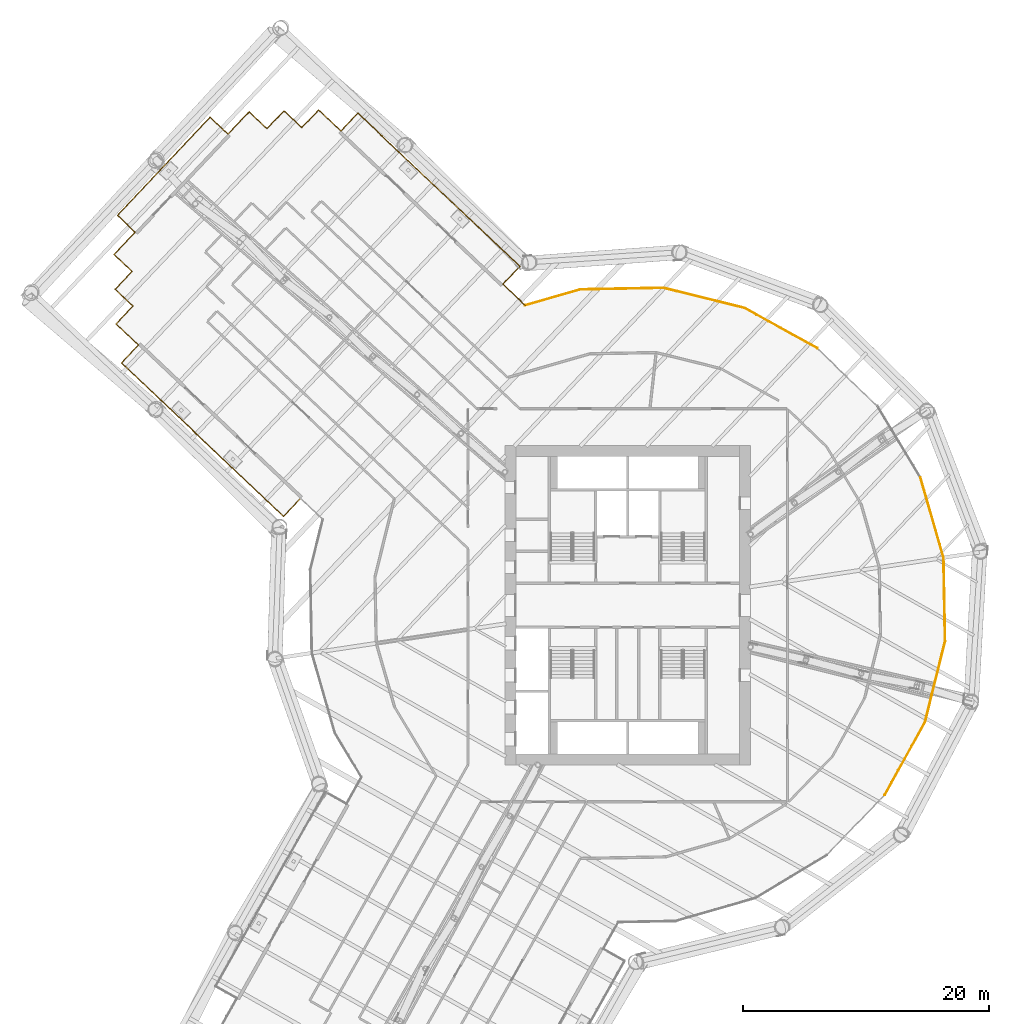
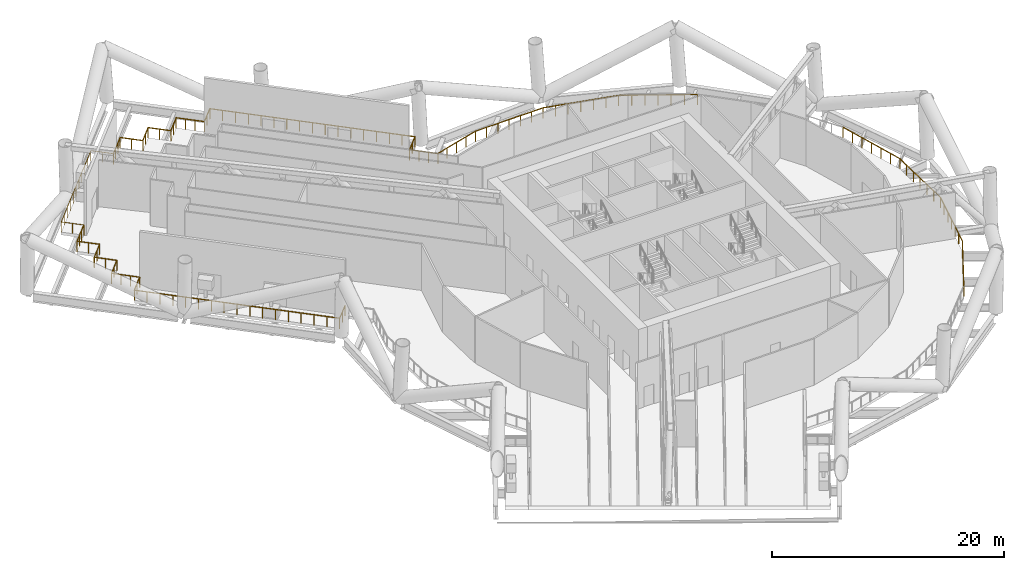
# One storey, part 37 of 39: 24 railings.
"""IFC4 building model written with IfcOpenShell, lengths in metres."""

from ifc_helpers import new_model, si_unit, direction, frame, origin, origin_2d, place, context, subcontext, project, spatial, circle, extrude, material, type_object, element, save


model = new_model("IFC4")

# Units and contexts
model_context = context("Model", 3, precision=1e-05, world=origin(), true_north=direction((0.0, 1.0)))
body_context = subcontext(model_context, "Body", "Model", "MODEL_VIEW")
ifc_project = project(units=[si_unit("LENGTHUNIT", "METRE"), si_unit("AREAUNIT", "SQUARE_METRE"), si_unit("VOLUMEUNIT", "CUBIC_METRE"), si_unit("PLANEANGLEUNIT", "RADIAN"), si_unit("MASSUNIT", "GRAM", prefix="KILO")], contexts=[model_context])

# Site, building, storey
site_placement = place(None, origin())
site = spatial("IfcSite", under=ifc_project, at=site_placement, CompositionType="ELEMENT")
building_placement = place(site_placement, origin())
building = spatial("IfcBuilding", under=site, at=building_placement, Name="Tarsis Ring Headquarters", CompositionType="ELEMENT")
storey_placement = place(building_placement, frame((0.0, 0.0, 86.800048828125)))
storey = spatial("IfcBuildingStorey", under=building, at=storey_placement, Name="L19", CompositionType="ELEMENT", Elevation=86.800048828125)

# Railings
ifc_material = material(Name="Stainless steel guard", Category="steel")
railing_type_1 = type_object("IfcRailingType", Name="Balcony balustrade with mesh infill 1100", PredefinedType="BALUSTRADE", material=ifc_material)
railing_1_placement = place(storey_placement, frame((-39.84375, 21.183349609375, 0.0)))
element("IfcRailing", 1, at=railing_1_placement, inside=storey, type_object=railing_type_1, Name="Balcony balustrade L19-01", PredefinedType="BALUSTRADE", context=body_context, shape_type="SweptSolid", body=[
    extrude(circle(Radius=0.030029296875, at=origin_2d()), frame((0.0, 0.0, 1.070068359375), z_axis=(-0.687304324489, -0.726369579167, 0.0), x_axis=(0.726369579167, -0.687304324489, 0.0)), (0.0, 0.0, 1.0), 1.999755859375),
    extrude(circle(Radius=0.030029296875, at=origin_2d()), frame((-1.37451171875, -1.45263671875, 1.070068359375), z_axis=(0.726332085354, -0.687343947224, 0.0), x_axis=(0.687343947224, 0.726332085354, 0.0)), (0.0, 0.0, 1.0), 18.172119140625),
    extrude(circle(Radius=0.030029296875, at=origin_2d()), frame((11.824462890625, -13.943115234375, 1.070068359375), z_axis=(0.687304324489, 0.726369579167, 0.0), x_axis=(-0.726369579167, 0.687304324489, 0.0)), (0.0, 0.0, 1.0), 1.999755859375),
    extrude(circle(Radius=0.02490234375, at=origin_2d()), origin(), (0.0, 0.0, 1.0), 1.0400390625),
    extrude(circle(Radius=0.02490234375, at=origin_2d()), frame((-0.687255859375, -0.726318359375, 0.0)), (0.0, 0.0, 1.0), 1.0400390625),
    extrude(circle(Radius=0.02490234375, at=origin_2d()), frame((-1.37451171875, -1.45263671875, 0.0)), (0.0, 0.0, 1.0), 1.0400390625),
    extrude(circle(Radius=0.02490234375, at=origin_2d()), frame((-0.549560546875, -2.2333984375, 0.0)), (0.0, 0.0, 1.0), 1.0400390625),
    extrude(circle(Radius=0.02490234375, at=origin_2d()), frame((0.275390625, -3.013916015625, 0.0)), (0.0, 0.0, 1.0), 1.0400390625),
    extrude(circle(Radius=0.02490234375, at=origin_2d()), frame((1.100341796875, -3.794677734375, 0.0)), (0.0, 0.0, 1.0), 1.0400390625),
    extrude(circle(Radius=0.02490234375, at=origin_2d()), frame((1.92529296875, -4.5751953125, 0.0)), (0.0, 0.0, 1.0), 1.0400390625),
    extrude(circle(Radius=0.02490234375, at=origin_2d()), frame((2.750244140625, -5.35595703125, 0.0)), (0.0, 0.0, 1.0), 1.0400390625),
    extrude(circle(Radius=0.02490234375, at=origin_2d()), frame((3.5751953125, -6.136474609375, 0.0)), (0.0, 0.0, 1.0), 1.0400390625),
    extrude(circle(Radius=0.02490234375, at=origin_2d()), frame((4.400146484375, -6.917236328125, 0.0)), (0.0, 0.0, 1.0), 1.0400390625),
    extrude(circle(Radius=0.02490234375, at=origin_2d()), frame((5.22509765625, -7.69775390625, 0.0)), (0.0, 0.0, 1.0), 1.0400390625),
    extrude(circle(Radius=0.02490234375, at=origin_2d()), frame((6.0498046875, -8.478515625, 0.0)), (0.0, 0.0, 1.0), 1.0400390625),
    extrude(circle(Radius=0.02490234375, at=origin_2d()), frame((6.874755859375, -9.25927734375, 0.0)), (0.0, 0.0, 1.0), 1.0400390625),
    extrude(circle(Radius=0.02490234375, at=origin_2d()), frame((7.69970703125, -10.039794921875, 0.0)), (0.0, 0.0, 1.0), 1.0400390625),
    extrude(circle(Radius=0.02490234375, at=origin_2d()), frame((8.524658203125, -10.820556640625, 0.0)), (0.0, 0.0, 1.0), 1.0400390625),
    extrude(circle(Radius=0.02490234375, at=origin_2d()), frame((9.349609375, -11.60107421875, 0.0)), (0.0, 0.0, 1.0), 1.0400390625),
    extrude(circle(Radius=0.02490234375, at=origin_2d()), frame((10.174560546875, -12.3818359375, 0.0)), (0.0, 0.0, 1.0), 1.0400390625),
    extrude(circle(Radius=0.02490234375, at=origin_2d()), frame((10.99951171875, -13.162353515625, 0.0)), (0.0, 0.0, 1.0), 1.0400390625),
    extrude(circle(Radius=0.02490234375, at=origin_2d()), frame((11.824462890625, -13.943115234375, 0.0)), (0.0, 0.0, 1.0), 1.0400390625),
    extrude(circle(Radius=0.02490234375, at=origin_2d()), frame((12.51171875, -13.216796875, 0.0)), (0.0, 0.0, 1.0), 1.0400390625),
    extrude(circle(Radius=0.02490234375, at=origin_2d()), frame((13.198974609375, -12.490478515625, 0.0)), (0.0, 0.0, 1.0), 1.0400390625),
])
railing_2_placement = place(storey_placement, frame((-10.16357421875, 26.13916015625, 0.0)))
element("IfcRailing", 2, at=railing_2_placement, inside=storey, type_object=railing_type_1, Name="Balcony balustrade L19-31", PredefinedType="BALUSTRADE", context=body_context, shape_type="SweptSolid", body=[
    extrude(circle(Radius=0.030029296875, at=origin_2d()), frame((0.0, 0.0, 1.070068359375), z_axis=(0.68736872678, 0.726308635117, 0.0), x_axis=(-0.726308635117, 0.68736872678, 0.0)), (0.0, 0.0, 1.0), 2.0),
    extrude(circle(Radius=0.030029296875, at=origin_2d()), frame((1.374755859375, 1.45263671875, 1.070068359375), z_axis=(-0.726333927669, 0.687342000402, 0.0), x_axis=(-0.687342000402, -0.726333927669, 0.0)), (0.0, 0.0, 1.0), 18.151611328125),
    extrude(circle(Radius=0.030029296875, at=origin_2d()), frame((-11.809326171875, 13.928955078125, 1.070068359375), z_axis=(-0.687243381166, -0.726427240021, 0.0), x_axis=(0.726427240021, -0.687243381166, 0.0)), (0.0, 0.0, 1.0), 2.0),
    extrude(circle(Radius=0.02490234375, at=origin_2d()), origin(), (0.0, 0.0, 1.0), 1.0400390625),
    extrude(circle(Radius=0.02490234375, at=origin_2d()), frame((0.6875, 0.726318359375, 0.0)), (0.0, 0.0, 1.0), 1.0400390625),
    extrude(circle(Radius=0.02490234375, at=origin_2d()), frame((1.374755859375, 1.45263671875, 0.0)), (0.0, 0.0, 1.0), 1.0400390625),
    extrude(circle(Radius=0.02490234375, at=origin_2d()), frame((0.55078125, 2.232421875, 0.0)), (0.0, 0.0, 1.0), 1.0400390625),
    extrude(circle(Radius=0.02490234375, at=origin_2d()), frame((-0.273193359375, 3.01220703125, 0.0)), (0.0, 0.0, 1.0), 1.0400390625),
    extrude(circle(Radius=0.02490234375, at=origin_2d()), frame((-1.09716796875, 3.7919921875, 0.0)), (0.0, 0.0, 1.0), 1.0400390625),
    extrude(circle(Radius=0.02490234375, at=origin_2d()), frame((-1.92138671875, 4.57177734375, 0.0)), (0.0, 0.0, 1.0), 1.0400390625),
    extrude(circle(Radius=0.02490234375, at=origin_2d()), frame((-2.745361328125, 5.3515625, 0.0)), (0.0, 0.0, 1.0), 1.0400390625),
    extrude(circle(Radius=0.02490234375, at=origin_2d()), frame((-3.5693359375, 6.13134765625, 0.0)), (0.0, 0.0, 1.0), 1.0400390625),
    extrude(circle(Radius=0.02490234375, at=origin_2d()), frame((-4.393310546875, 6.9111328125, 0.0)), (0.0, 0.0, 1.0), 1.0400390625),
    extrude(circle(Radius=0.02490234375, at=origin_2d()), frame((-5.21728515625, 7.69091796875, 0.0)), (0.0, 0.0, 1.0), 1.0400390625),
    extrude(circle(Radius=0.02490234375, at=origin_2d()), frame((-6.041259765625, 8.470458984375, 0.0)), (0.0, 0.0, 1.0), 1.0400390625),
    extrude(circle(Radius=0.02490234375, at=origin_2d()), frame((-6.865234375, 9.250244140625, 0.0)), (0.0, 0.0, 1.0), 1.0400390625),
    extrude(circle(Radius=0.02490234375, at=origin_2d()), frame((-7.689208984375, 10.030029296875, 0.0)), (0.0, 0.0, 1.0), 1.0400390625),
    extrude(circle(Radius=0.02490234375, at=origin_2d()), frame((-8.51318359375, 10.809814453125, 0.0)), (0.0, 0.0, 1.0), 1.0400390625),
    extrude(circle(Radius=0.02490234375, at=origin_2d()), frame((-9.33740234375, 11.589599609375, 0.0)), (0.0, 0.0, 1.0), 1.0400390625),
    extrude(circle(Radius=0.02490234375, at=origin_2d()), frame((-10.161376953125, 12.369384765625, 0.0)), (0.0, 0.0, 1.0), 1.0400390625),
    extrude(circle(Radius=0.02490234375, at=origin_2d()), frame((-10.9853515625, 13.149169921875, 0.0)), (0.0, 0.0, 1.0), 1.0400390625),
    extrude(circle(Radius=0.02490234375, at=origin_2d()), frame((-11.809326171875, 13.928955078125, 0.0)), (0.0, 0.0, 1.0), 1.0400390625),
    extrude(circle(Radius=0.02490234375, at=origin_2d()), frame((-12.49658203125, 13.20263671875, 0.0)), (0.0, 0.0, 1.0), 1.0400390625),
    extrude(circle(Radius=0.02490234375, at=origin_2d()), frame((-13.183837890625, 12.47607421875, 0.0)), (0.0, 0.0, 1.0), 1.0400390625),
])
railing_3_placement = place(storey_placement, frame((-32.536376953125, 38.36181640625, 0.0)))
element("IfcRailing", 3, at=railing_3_placement, inside=storey, type_object=railing_type_1, Name="Balcony balustrade L19-36", PredefinedType="BALUSTRADE", context=body_context, shape_type="SweptSolid", body=[
    extrude(circle(Radius=0.030029296875, at=origin_2d()), frame((0.0, 0.0, 1.070068359375), z_axis=(-0.726308635117, 0.68736872678, 0.0), x_axis=(-0.68736872678, -0.726308635117, 0.0)), (0.0, 0.0, 1.0), 2.0),
    extrude(circle(Radius=0.030029296875, at=origin_2d()), frame((-1.45263671875, 1.374755859375, 1.070068359375), z_axis=(-0.687340083675, -0.726335741495, 0.0), x_axis=(0.726335741495, -0.687340083675, 0.0)), (0.0, 0.0, 1.0), 11.0),
    extrude(circle(Radius=0.030029296875, at=origin_2d()), frame((-9.013427734375, -6.614990234375, 1.070068359375), z_axis=(0.726369579167, -0.687304324489, 0.0), x_axis=(0.687304324489, 0.726369579167, 0.0)), (0.0, 0.0, 1.0), 1.999755859375),
    extrude(circle(Radius=0.02490234375, at=origin_2d()), origin(), (0.0, 0.0, 1.0), 1.0400390625),
    extrude(circle(Radius=0.02490234375, at=origin_2d()), frame((-0.726318359375, 0.6875, 0.0)), (0.0, 0.0, 1.0), 1.0400390625),
    extrude(circle(Radius=0.02490234375, at=origin_2d()), frame((-1.45263671875, 1.374755859375, 0.0)), (0.0, 0.0, 1.0), 1.0400390625),
    extrude(circle(Radius=0.02490234375, at=origin_2d()), frame((-2.208740234375, 0.57568359375, 0.0)), (0.0, 0.0, 1.0), 1.0400390625),
    extrude(circle(Radius=0.02490234375, at=origin_2d()), frame((-2.96484375, -0.22314453125, 0.0)), (0.0, 0.0, 1.0), 1.0400390625),
    extrude(circle(Radius=0.02490234375, at=origin_2d()), frame((-3.720947265625, -1.022216796875, 0.0)), (0.0, 0.0, 1.0), 1.0400390625),
    extrude(circle(Radius=0.02490234375, at=origin_2d()), frame((-4.47705078125, -1.821044921875, 0.0)), (0.0, 0.0, 1.0), 1.0400390625),
    extrude(circle(Radius=0.02490234375, at=origin_2d()), frame((-5.23291015625, -2.6201171875, 0.0)), (0.0, 0.0, 1.0), 1.0400390625),
    extrude(circle(Radius=0.02490234375, at=origin_2d()), frame((-5.989013671875, -3.419189453125, 0.0)), (0.0, 0.0, 1.0), 1.0400390625),
    extrude(circle(Radius=0.02490234375, at=origin_2d()), frame((-6.7451171875, -4.218017578125, 0.0)), (0.0, 0.0, 1.0), 1.0400390625),
    extrude(circle(Radius=0.02490234375, at=origin_2d()), frame((-7.501220703125, -5.01708984375, 0.0)), (0.0, 0.0, 1.0), 1.0400390625),
    extrude(circle(Radius=0.02490234375, at=origin_2d()), frame((-8.25732421875, -5.81591796875, 0.0)), (0.0, 0.0, 1.0), 1.0400390625),
    extrude(circle(Radius=0.02490234375, at=origin_2d()), frame((-9.013427734375, -6.614990234375, 0.0)), (0.0, 0.0, 1.0), 1.0400390625),
    extrude(circle(Radius=0.02490234375, at=origin_2d()), frame((-8.287109375, -7.30224609375, 0.0)), (0.0, 0.0, 1.0), 1.0400390625),
    extrude(circle(Radius=0.02490234375, at=origin_2d()), frame((-7.560791015625, -7.989501953125, 0.0)), (0.0, 0.0, 1.0), 1.0400390625),
])
railing_type_2 = type_object("IfcRailingType", Name="Guard rail with mesh infill 1100", PredefinedType="GUARDRAIL", material=ifc_material)
railing_4_placement = place(storey_placement, frame((-41.659423828125, 22.901611328125, 0.0)))
element("IfcRailing", 4, at=railing_4_placement, inside=storey, type_object=railing_type_2, Name="Guard L19-01a", PredefinedType="GUARDRAIL", context=body_context, shape_type="SweptSolid", body=[
    extrude(circle(Radius=0.030029296875, at=origin_2d()), frame((0.0, 0.0, 1.070068359375), z_axis=(0.726322131413, -0.687354465629, 0.0), x_axis=(0.687354465629, 0.726322131413, 0.0)), (0.0, 0.0, 1.0), 2.499755859375),
    extrude(circle(Radius=0.02490234375, at=origin_2d()), origin(), (0.0, 0.0, 1.0), 1.0400390625),
    extrude(circle(Radius=0.02490234375, at=origin_2d()), frame((0.605224609375, -0.57275390625, 0.0)), (0.0, 0.0, 1.0), 1.0400390625),
    extrude(circle(Radius=0.02490234375, at=origin_2d()), frame((1.21044921875, -1.1455078125, 0.0)), (0.0, 0.0, 1.0), 1.0400390625),
    extrude(circle(Radius=0.02490234375, at=origin_2d()), frame((1.815673828125, -1.71826171875, 0.0)), (0.0, 0.0, 1.0), 1.0400390625),
])
railing_5_placement = place(storey_placement, frame((20.921875, -15.436279296875, 0.0)))
element("IfcRailing", 5, at=railing_5_placement, inside=storey, type_object=railing_type_2, Name="Guard L19-21", PredefinedType="GUARDRAIL", context=body_context, shape_type="SweptSolid", body=[
    extrude(circle(Radius=0.030029296875, at=origin_2d()), frame((0.0, 0.0, 1.070068359375), z_axis=(0.483583140116, 0.875298432876, 0.0), x_axis=(-0.875298432876, 0.483583140116, 0.0)), (0.0, 0.0, 1.0), 6.787353515625),
    extrude(circle(Radius=0.02490234375, at=origin_2d()), origin(), (0.0, 0.0, 1.0), 1.0400390625),
    extrude(circle(Radius=0.02490234375, at=origin_2d()), frame((0.547119140625, 0.990234375, 0.0)), (0.0, 0.0, 1.0), 1.0400390625),
    extrude(circle(Radius=0.02490234375, at=origin_2d()), frame((1.093994140625, 1.980224609375, 0.0)), (0.0, 0.0, 1.0), 1.0400390625),
    extrude(circle(Radius=0.02490234375, at=origin_2d()), frame((1.64111328125, 2.970458984375, 0.0)), (0.0, 0.0, 1.0), 1.0400390625),
    extrude(circle(Radius=0.02490234375, at=origin_2d()), frame((2.188232421875, 3.960693359375, 0.0)), (0.0, 0.0, 1.0), 1.0400390625),
    extrude(circle(Radius=0.02490234375, at=origin_2d()), frame((2.735107421875, 4.95068359375, 0.0)), (0.0, 0.0, 1.0), 1.0400390625),
    extrude(circle(Radius=0.02490234375, at=origin_2d()), frame((3.2822265625, 5.94091796875, 0.0)), (0.0, 0.0, 1.0), 1.0400390625),
])
railing_6_placement = place(storey_placement, frame((24.2041015625, -9.495361328125, 0.0)))
element("IfcRailing", 6, at=railing_6_placement, inside=storey, type_object=railing_type_2, Name="Guard L19-22", PredefinedType="GUARDRAIL", context=body_context, shape_type="SweptSolid", body=[
    extrude(circle(Radius=0.030029296875, at=origin_2d()), frame((0.0, 0.0, 1.070068359375), z_axis=(0.240563156101, 0.970633487948, 0.0), x_axis=(-0.970633487948, 0.240563156101, 0.0)), (0.0, 0.0, 1.0), 6.787353515625),
    extrude(circle(Radius=0.02490234375, at=origin_2d()), origin(), (0.0, 0.0, 1.0), 1.0400390625),
    extrude(circle(Radius=0.02490234375, at=origin_2d()), frame((0.272216796875, 1.09814453125, 0.0)), (0.0, 0.0, 1.0), 1.0400390625),
    extrude(circle(Radius=0.02490234375, at=origin_2d()), frame((0.544189453125, 2.196044921875, 0.0)), (0.0, 0.0, 1.0), 1.0400390625),
    extrude(circle(Radius=0.02490234375, at=origin_2d()), frame((0.81640625, 3.2939453125, 0.0)), (0.0, 0.0, 1.0), 1.0400390625),
    extrude(circle(Radius=0.02490234375, at=origin_2d()), frame((1.088623046875, 4.39208984375, 0.0)), (0.0, 0.0, 1.0), 1.0400390625),
    extrude(circle(Radius=0.02490234375, at=origin_2d()), frame((1.360595703125, 5.490234375, 0.0)), (0.0, 0.0, 1.0), 1.0400390625),
    extrude(circle(Radius=0.02490234375, at=origin_2d()), frame((1.6328125, 6.588134765625, 0.0)), (0.0, 0.0, 1.0), 1.0400390625),
])
railing_7_placement = place(storey_placement, frame((25.8369140625, -2.9072265625, 0.0)))
element("IfcRailing", 7, at=railing_7_placement, inside=storey, type_object=railing_type_2, Name="Guard L19-23", PredefinedType="GUARDRAIL", context=body_context, shape_type="SweptSolid", body=[
    extrude(circle(Radius=0.030029296875, at=origin_2d()), frame((0.0, 0.0, 1.070068359375), z_axis=(-0.018848284436, 0.999822355308, 0.0), x_axis=(-0.999822355308, -0.018848284436, 0.0)), (0.0, 0.0, 1.0), 6.787353515625),
    extrude(circle(Radius=0.02490234375, at=origin_2d()), origin(), (0.0, 0.0, 1.0), 1.0400390625),
    extrude(circle(Radius=0.02490234375, at=origin_2d()), frame((-0.021240234375, 1.131103515625, 0.0)), (0.0, 0.0, 1.0), 1.0400390625),
    extrude(circle(Radius=0.02490234375, at=origin_2d()), frame((-0.042724609375, 2.261962890625, 0.0)), (0.0, 0.0, 1.0), 1.0400390625),
    extrude(circle(Radius=0.02490234375, at=origin_2d()), frame((-0.06396484375, 3.39306640625, 0.0)), (0.0, 0.0, 1.0), 1.0400390625),
    extrude(circle(Radius=0.02490234375, at=origin_2d()), frame((-0.085205078125, 4.524169921875, 0.0)), (0.0, 0.0, 1.0), 1.0400390625),
    extrude(circle(Radius=0.02490234375, at=origin_2d()), frame((-0.106689453125, 5.655029296875, 0.0)), (0.0, 0.0, 1.0), 1.0400390625),
    extrude(circle(Radius=0.02490234375, at=origin_2d()), frame((-0.1279296875, 6.7861328125, 0.0)), (0.0, 0.0, 1.0), 1.0400390625),
])
railing_8_placement = place(storey_placement, frame((25.708984375, 3.87890625, 0.0)))
element("IfcRailing", 8, at=railing_8_placement, inside=storey, type_object=railing_type_2, Name="Guard L19-24", PredefinedType="GUARDRAIL", context=body_context, shape_type="SweptSolid", body=[
    extrude(circle(Radius=0.030029296875, at=origin_2d()), frame((0.0, 0.0, 1.070068359375), z_axis=(-0.276962685986, 0.960880674471, 0.0), x_axis=(-0.960880674471, -0.276962685986, 0.0)), (0.0, 0.0, 1.0), 6.78759765625),
    extrude(circle(Radius=0.02490234375, at=origin_2d()), origin(), (0.0, 0.0, 1.0), 1.0400390625),
    extrude(circle(Radius=0.02490234375, at=origin_2d()), frame((-0.313232421875, 1.0869140625, 0.0)), (0.0, 0.0, 1.0), 1.0400390625),
    extrude(circle(Radius=0.02490234375, at=origin_2d()), frame((-0.626708984375, 2.174072265625, 0.0)), (0.0, 0.0, 1.0), 1.0400390625),
    extrude(circle(Radius=0.02490234375, at=origin_2d()), frame((-0.93994140625, 3.260986328125, 0.0)), (0.0, 0.0, 1.0), 1.0400390625),
    extrude(circle(Radius=0.02490234375, at=origin_2d()), frame((-1.253173828125, 4.347900390625, 0.0)), (0.0, 0.0, 1.0), 1.0400390625),
    extrude(circle(Radius=0.02490234375, at=origin_2d()), frame((-1.566650390625, 5.43505859375, 0.0)), (0.0, 0.0, 1.0), 1.0400390625),
    extrude(circle(Radius=0.02490234375, at=origin_2d()), frame((-1.8798828125, 6.52197265625, 0.0)), (0.0, 0.0, 1.0), 1.0400390625),
])
railing_9_placement = place(storey_placement, frame((15.436279296875, 20.921875, 0.0)))
element("IfcRailing", 9, at=railing_9_placement, inside=storey, type_object=railing_type_2, Name="Guard L19-27", PredefinedType="GUARDRAIL", context=body_context, shape_type="SweptSolid", body=[
    extrude(circle(Radius=0.030029296875, at=origin_2d()), frame((0.0, 0.0, 1.070068359375), z_axis=(-0.875298432876, 0.483583140116, 0.0), x_axis=(-0.483583140116, -0.875298432876, 0.0)), (0.0, 0.0, 1.0), 6.787353515625),
    extrude(circle(Radius=0.02490234375, at=origin_2d()), origin(), (0.0, 0.0, 1.0), 1.0400390625),
    extrude(circle(Radius=0.02490234375, at=origin_2d()), frame((-0.990234375, 0.547119140625, 0.0)), (0.0, 0.0, 1.0), 1.0400390625),
    extrude(circle(Radius=0.02490234375, at=origin_2d()), frame((-1.980224609375, 1.093994140625, 0.0)), (0.0, 0.0, 1.0), 1.0400390625),
    extrude(circle(Radius=0.02490234375, at=origin_2d()), frame((-2.970458984375, 1.64111328125, 0.0)), (0.0, 0.0, 1.0), 1.0400390625),
    extrude(circle(Radius=0.02490234375, at=origin_2d()), frame((-3.960693359375, 2.188232421875, 0.0)), (0.0, 0.0, 1.0), 1.0400390625),
    extrude(circle(Radius=0.02490234375, at=origin_2d()), frame((-4.95068359375, 2.735107421875, 0.0)), (0.0, 0.0, 1.0), 1.0400390625),
    extrude(circle(Radius=0.02490234375, at=origin_2d()), frame((-5.94091796875, 3.2822265625, 0.0)), (0.0, 0.0, 1.0), 1.0400390625),
])
railing_10_placement = place(storey_placement, frame((9.495361328125, 24.2041015625, 0.0)))
element("IfcRailing", 10, at=railing_10_placement, inside=storey, type_object=railing_type_2, Name="Guard L19-28", PredefinedType="GUARDRAIL", context=body_context, shape_type="SweptSolid", body=[
    extrude(circle(Radius=0.030029296875, at=origin_2d()), frame((0.0, 0.0, 1.070068359375), z_axis=(-0.970633487948, 0.240563156101, 0.0), x_axis=(-0.240563156101, -0.970633487948, 0.0)), (0.0, 0.0, 1.0), 6.787353515625),
    extrude(circle(Radius=0.02490234375, at=origin_2d()), origin(), (0.0, 0.0, 1.0), 1.0400390625),
    extrude(circle(Radius=0.02490234375, at=origin_2d()), frame((-1.09814453125, 0.272216796875, 0.0)), (0.0, 0.0, 1.0), 1.0400390625),
    extrude(circle(Radius=0.02490234375, at=origin_2d()), frame((-2.196044921875, 0.544189453125, 0.0)), (0.0, 0.0, 1.0), 1.0400390625),
    extrude(circle(Radius=0.02490234375, at=origin_2d()), frame((-3.2939453125, 0.81640625, 0.0)), (0.0, 0.0, 1.0), 1.0400390625),
    extrude(circle(Radius=0.02490234375, at=origin_2d()), frame((-4.39208984375, 1.088623046875, 0.0)), (0.0, 0.0, 1.0), 1.0400390625),
    extrude(circle(Radius=0.02490234375, at=origin_2d()), frame((-5.490234375, 1.360595703125, 0.0)), (0.0, 0.0, 1.0), 1.0400390625),
    extrude(circle(Radius=0.02490234375, at=origin_2d()), frame((-6.588134765625, 1.6328125, 0.0)), (0.0, 0.0, 1.0), 1.0400390625),
])
railing_11_placement = place(storey_placement, frame((2.9072265625, 25.8369140625, 0.0)))
element("IfcRailing", 11, at=railing_11_placement, inside=storey, type_object=railing_type_2, Name="Guard L19-29", PredefinedType="GUARDRAIL", context=body_context, shape_type="SweptSolid", body=[
    extrude(circle(Radius=0.030029296875, at=origin_2d()), frame((0.0, 0.0, 1.070068359375), z_axis=(-0.999822355308, -0.018848284436, 0.0), x_axis=(0.018848284436, -0.999822355308, 0.0)), (0.0, 0.0, 1.0), 6.787353515625),
    extrude(circle(Radius=0.02490234375, at=origin_2d()), origin(), (0.0, 0.0, 1.0), 1.0400390625),
    extrude(circle(Radius=0.02490234375, at=origin_2d()), frame((-1.131103515625, -0.021240234375, 0.0)), (0.0, 0.0, 1.0), 1.0400390625),
    extrude(circle(Radius=0.02490234375, at=origin_2d()), frame((-2.261962890625, -0.042724609375, 0.0)), (0.0, 0.0, 1.0), 1.0400390625),
    extrude(circle(Radius=0.02490234375, at=origin_2d()), frame((-3.39306640625, -0.06396484375, 0.0)), (0.0, 0.0, 1.0), 1.0400390625),
    extrude(circle(Radius=0.02490234375, at=origin_2d()), frame((-4.524169921875, -0.085205078125, 0.0)), (0.0, 0.0, 1.0), 1.0400390625),
    extrude(circle(Radius=0.02490234375, at=origin_2d()), frame((-5.655029296875, -0.106689453125, 0.0)), (0.0, 0.0, 1.0), 1.0400390625),
    extrude(circle(Radius=0.02490234375, at=origin_2d()), frame((-6.7861328125, -0.1279296875, 0.0)), (0.0, 0.0, 1.0), 1.0400390625),
])
railing_12_placement = place(storey_placement, frame((-3.87890625, 25.708984375, 0.0)))
element("IfcRailing", 12, at=railing_12_placement, inside=storey, type_object=railing_type_2, Name="Guard L19-30", PredefinedType="GUARDRAIL", context=body_context, shape_type="SweptSolid", body=[
    extrude(circle(Radius=0.030029296875, at=origin_2d()), frame((0.0, 0.0, 1.070068359375), z_axis=(-0.960879490464, -0.276966793689, 0.0), x_axis=(0.276966793689, -0.960879490464, 0.0)), (0.0, 0.0, 1.0), 4.650634765625),
    extrude(circle(Radius=0.02490234375, at=origin_2d()), origin(), (0.0, 0.0, 1.0), 1.0400390625),
    extrude(circle(Radius=0.02490234375, at=origin_2d()), frame((-1.1171875, -0.322021484375, 0.0)), (0.0, 0.0, 1.0), 1.0400390625),
    extrude(circle(Radius=0.02490234375, at=origin_2d()), frame((-2.234375, -0.64404296875, 0.0)), (0.0, 0.0, 1.0), 1.0400390625),
    extrude(circle(Radius=0.02490234375, at=origin_2d()), frame((-3.3515625, -0.966064453125, 0.0)), (0.0, 0.0, 1.0), 1.0400390625),
    extrude(circle(Radius=0.02490234375, at=origin_2d()), frame((-4.46875, -1.2880859375, 0.0)), (0.0, 0.0, 1.0), 1.0400390625),
])
railing_13_placement = place(storey_placement, frame((-8.34765625, 24.4208984375, 0.0)))
element("IfcRailing", 13, at=railing_13_placement, inside=storey, type_object=railing_type_2, Name="Guard L19-31a", PredefinedType="GUARDRAIL", context=body_context, shape_type="SweptSolid", body=[
    extrude(circle(Radius=0.030029296875, at=origin_2d()), frame((0.0, 0.0, 1.070068359375), z_axis=(-0.726368268142, 0.687305710027, 0.0), x_axis=(-0.687305710027, -0.726368268142, 0.0)), (0.0, 0.0, 1.0), 2.5),
    extrude(circle(Radius=0.02490234375, at=origin_2d()), origin(), (0.0, 0.0, 1.0), 1.0400390625),
    extrude(circle(Radius=0.02490234375, at=origin_2d()), frame((-0.605224609375, 0.57275390625, 0.0)), (0.0, 0.0, 1.0), 1.0400390625),
    extrude(circle(Radius=0.02490234375, at=origin_2d()), frame((-1.210693359375, 1.1455078125, 0.0)), (0.0, 0.0, 1.0), 1.0400390625),
    extrude(circle(Radius=0.02490234375, at=origin_2d()), frame((-1.81591796875, 1.71826171875, 0.0)), (0.0, 0.0, 1.0), 1.0400390625),
])
railing_14_placement = place(storey_placement, frame((-23.347412109375, 38.615234375, 0.0)))
element("IfcRailing", 14, at=railing_14_placement, inside=storey, type_object=railing_type_2, Name="Guard L19-31b", PredefinedType="GUARDRAIL", context=body_context, shape_type="SweptSolid", body=[
    extrude(circle(Radius=0.030029296875, at=origin_2d()), frame((0.0, 0.0, 1.070068359375), z_axis=(-0.726319515896, 0.687357229415, 0.0), x_axis=(-0.687357229415, -0.726319515896, 0.0)), (0.0, 0.0, 1.0), 2.500244140625),
    extrude(circle(Radius=0.02490234375, at=origin_2d()), origin(), (0.0, 0.0, 1.0), 1.0400390625),
    extrude(circle(Radius=0.02490234375, at=origin_2d()), frame((-0.605224609375, 0.57275390625, 0.0)), (0.0, 0.0, 1.0), 1.0400390625),
    extrude(circle(Radius=0.02490234375, at=origin_2d()), frame((-1.210693359375, 1.145751953125, 0.0)), (0.0, 0.0, 1.0), 1.0400390625),
    extrude(circle(Radius=0.02490234375, at=origin_2d()), frame((-1.81591796875, 1.718505859375, 0.0)), (0.0, 0.0, 1.0), 1.0400390625),
])
railing_15_placement = place(storey_placement, frame((-25.163330078125, 40.333740234375, 0.0)))
element("IfcRailing", 15, at=railing_15_placement, inside=storey, type_object=railing_type_2, Name="Guard L19-32", PredefinedType="GUARDRAIL", context=body_context, shape_type="SweptSolid", body=[
    extrude(circle(Radius=0.030029296875, at=origin_2d()), frame((0.0, 0.0, 1.070068359375), z_axis=(-0.68736872678, -0.726308635117, 0.0), x_axis=(0.726308635117, -0.68736872678, 0.0)), (0.0, 0.0, 1.0), 2.0),
    extrude(circle(Radius=0.02490234375, at=origin_2d()), origin(), (0.0, 0.0, 1.0), 1.0400390625),
    extrude(circle(Radius=0.02490234375, at=origin_2d()), frame((-0.6875, -0.726318359375, 0.0)), (0.0, 0.0, 1.0), 1.0400390625),
    extrude(circle(Radius=0.02490234375, at=origin_2d()), frame((-1.374755859375, -1.45263671875, 0.0)), (0.0, 0.0, 1.0), 1.0400390625),
])
railing_16_placement = place(storey_placement, frame((-26.5380859375, 38.881103515625, 0.0)))
element("IfcRailing", 16, at=railing_16_placement, inside=storey, type_object=railing_type_2, Name="Guard L19-33", PredefinedType="GUARDRAIL", context=body_context, shape_type="SweptSolid", body=[
    extrude(circle(Radius=0.030029296875, at=origin_2d()), frame((0.0, 0.0, 1.070068359375), z_axis=(-0.726369579167, 0.687304324489, 0.0), x_axis=(-0.687304324489, -0.726369579167, 0.0)), (0.0, 0.0, 1.0), 1.999755859375),
    extrude(circle(Radius=0.02490234375, at=origin_2d()), origin(), (0.0, 0.0, 1.0), 1.0400390625),
    extrude(circle(Radius=0.02490234375, at=origin_2d()), frame((-0.726318359375, 0.687255859375, 0.0)), (0.0, 0.0, 1.0), 1.0400390625),
    extrude(circle(Radius=0.02490234375, at=origin_2d()), frame((-1.45263671875, 1.37451171875, 0.0)), (0.0, 0.0, 1.0), 1.0400390625),
])
railing_17_placement = place(storey_placement, frame((-27.99072265625, 40.255615234375, 0.0)))
element("IfcRailing", 17, at=railing_17_placement, inside=storey, type_object=railing_type_2, Name="Guard L19-34", PredefinedType="GUARDRAIL", context=body_context, shape_type="SweptSolid", body=[
    extrude(circle(Radius=0.030029296875, at=origin_2d()), frame((0.0, 0.0, 1.070068359375), z_axis=(-0.687304324489, -0.726369579167, 0.0), x_axis=(0.726369579167, -0.687304324489, 0.0)), (0.0, 0.0, 1.0), 1.999755859375),
    extrude(circle(Radius=0.02490234375, at=origin_2d()), origin(), (0.0, 0.0, 1.0), 1.0400390625),
    extrude(circle(Radius=0.02490234375, at=origin_2d()), frame((-0.687255859375, -0.726318359375, 0.0)), (0.0, 0.0, 1.0), 1.0400390625),
    extrude(circle(Radius=0.02490234375, at=origin_2d()), frame((-1.37451171875, -1.45263671875, 0.0)), (0.0, 0.0, 1.0), 1.0400390625),
])
railing_18_placement = place(storey_placement, frame((-29.365234375, 38.802978515625, 0.0)))
element("IfcRailing", 18, at=railing_18_placement, inside=storey, type_object=railing_type_2, Name="Guard L19-35", PredefinedType="GUARDRAIL", context=body_context, shape_type="SweptSolid", body=[
    extrude(circle(Radius=0.030029296875, at=origin_2d()), frame((0.0, 0.0, 1.070068359375), z_axis=(-0.726366301939, 0.687307787972, 0.0), x_axis=(-0.687307787972, -0.726366301939, 0.0)), (0.0, 0.0, 1.0), 2.000244140625),
    extrude(circle(Radius=0.02490234375, at=origin_2d()), origin(), (0.0, 0.0, 1.0), 1.0400390625),
    extrude(circle(Radius=0.02490234375, at=origin_2d()), frame((-0.7265625, 0.6875, 0.0)), (0.0, 0.0, 1.0), 1.0400390625),
    extrude(circle(Radius=0.02490234375, at=origin_2d()), frame((-1.452880859375, 1.374755859375, 0.0)), (0.0, 0.0, 1.0), 1.0400390625),
])
for number, where, name in (
    (19, (-30.818115234375, 40.177734375, 0.0), "Guard L19-36a"),
    (20, (-40.09716796875, 30.372314453125, 0.0), "Guard L19-36b"),
):
    element("IfcRailing", number, at=place(storey_placement, frame(where)), inside=storey, type_object=railing_type_2, Name=name, PredefinedType="GUARDRAIL", context=body_context, shape_type="SweptSolid", body=[
        extrude(circle(Radius=0.030029296875, at=origin_2d()), frame((0.0, 0.0, 1.070068359375), z_axis=(-0.687305710027, -0.726368268142, 0.0), x_axis=(0.726368268142, -0.687305710027, 0.0)), (0.0, 0.0, 1.0), 2.5),
        extrude(circle(Radius=0.02490234375, at=origin_2d()), origin(), (0.0, 0.0, 1.0), 1.0400390625),
        extrude(circle(Radius=0.02490234375, at=origin_2d()), frame((-0.57275390625, -0.605224609375, 0.0)), (0.0, 0.0, 1.0), 1.0400390625),
        extrude(circle(Radius=0.02490234375, at=origin_2d()), frame((-1.1455078125, -1.210693359375, 0.0)), (0.0, 0.0, 1.0), 1.0400390625),
        extrude(circle(Radius=0.02490234375, at=origin_2d()), frame((-1.71826171875, -1.81591796875, 0.0)), (0.0, 0.0, 1.0), 1.0400390625),
    ])
railing_19_placement = place(storey_placement, frame((-41.8154296875, 28.556396484375, 0.0)))
element("IfcRailing", 21, at=railing_19_placement, inside=storey, type_object=railing_type_2, Name="Guard L19-37", PredefinedType="GUARDRAIL", context=body_context, shape_type="SweptSolid", body=[
    extrude(circle(Radius=0.030029296875, at=origin_2d()), frame((0.0, 0.0, 1.070068359375), z_axis=(0.726308635117, -0.68736872678, 0.0), x_axis=(0.68736872678, 0.726308635117, 0.0)), (0.0, 0.0, 1.0), 2.0),
    extrude(circle(Radius=0.02490234375, at=origin_2d()), origin(), (0.0, 0.0, 1.0), 1.0400390625),
    extrude(circle(Radius=0.02490234375, at=origin_2d()), frame((0.726318359375, -0.6875, 0.0)), (0.0, 0.0, 1.0), 1.0400390625),
    extrude(circle(Radius=0.02490234375, at=origin_2d()), frame((1.45263671875, -1.374755859375, 0.0)), (0.0, 0.0, 1.0), 1.0400390625),
])
railing_20_placement = place(storey_placement, frame((-40.36279296875, 27.181640625, 0.0)))
element("IfcRailing", 22, at=railing_20_placement, inside=storey, type_object=railing_type_2, Name="Guard L19-38", PredefinedType="GUARDRAIL", context=body_context, shape_type="SweptSolid", body=[
    extrude(circle(Radius=0.030029296875, at=origin_2d()), frame((0.0, 0.0, 1.070068359375), z_axis=(-0.68736872678, -0.726308635117, 0.0), x_axis=(0.726308635117, -0.68736872678, 0.0)), (0.0, 0.0, 1.0), 2.0),
    extrude(circle(Radius=0.02490234375, at=origin_2d()), origin(), (0.0, 0.0, 1.0), 1.0400390625),
    extrude(circle(Radius=0.02490234375, at=origin_2d()), frame((-0.6875, -0.726318359375, 0.0)), (0.0, 0.0, 1.0), 1.0400390625),
    extrude(circle(Radius=0.02490234375, at=origin_2d()), frame((-1.374755859375, -1.45263671875, 0.0)), (0.0, 0.0, 1.0), 1.0400390625),
])
railing_21_placement = place(storey_placement, frame((-41.737548828125, 25.72900390625, 0.0)))
element("IfcRailing", 23, at=railing_21_placement, inside=storey, type_object=railing_type_2, Name="Guard L19-39", PredefinedType="GUARDRAIL", context=body_context, shape_type="SweptSolid", body=[
    extrude(circle(Radius=0.030029296875, at=origin_2d()), frame((0.0, 0.0, 1.070068359375), z_axis=(0.726308635117, -0.68736872678, 0.0), x_axis=(0.68736872678, 0.726308635117, 0.0)), (0.0, 0.0, 1.0), 2.0),
    extrude(circle(Radius=0.02490234375, at=origin_2d()), origin(), (0.0, 0.0, 1.0), 1.0400390625),
    extrude(circle(Radius=0.02490234375, at=origin_2d()), frame((0.726318359375, -0.6875, 0.0)), (0.0, 0.0, 1.0), 1.0400390625),
    extrude(circle(Radius=0.02490234375, at=origin_2d()), frame((1.45263671875, -1.374755859375, 0.0)), (0.0, 0.0, 1.0), 1.0400390625),
])
railing_22_placement = place(storey_placement, frame((-40.284912109375, 24.354248046875, 0.0)))
element("IfcRailing", 24, at=railing_22_placement, inside=storey, type_object=railing_type_2, Name="Guard L19-40", PredefinedType="GUARDRAIL", context=body_context, shape_type="SweptSolid", body=[
    extrude(circle(Radius=0.030029296875, at=origin_2d()), frame((0.0, 0.0, 1.070068359375), z_axis=(-0.687304324489, -0.726369579167, 0.0), x_axis=(0.726369579167, -0.687304324489, 0.0)), (0.0, 0.0, 1.0), 1.999755859375),
    extrude(circle(Radius=0.02490234375, at=origin_2d()), origin(), (0.0, 0.0, 1.0), 1.0400390625),
    extrude(circle(Radius=0.02490234375, at=origin_2d()), frame((-0.687255859375, -0.726318359375, 0.0)), (0.0, 0.0, 1.0), 1.0400390625),
    extrude(circle(Radius=0.02490234375, at=origin_2d()), frame((-1.37451171875, -1.45263671875, 0.0)), (0.0, 0.0, 1.0), 1.0400390625),
])

save(model, "model.ifc")
